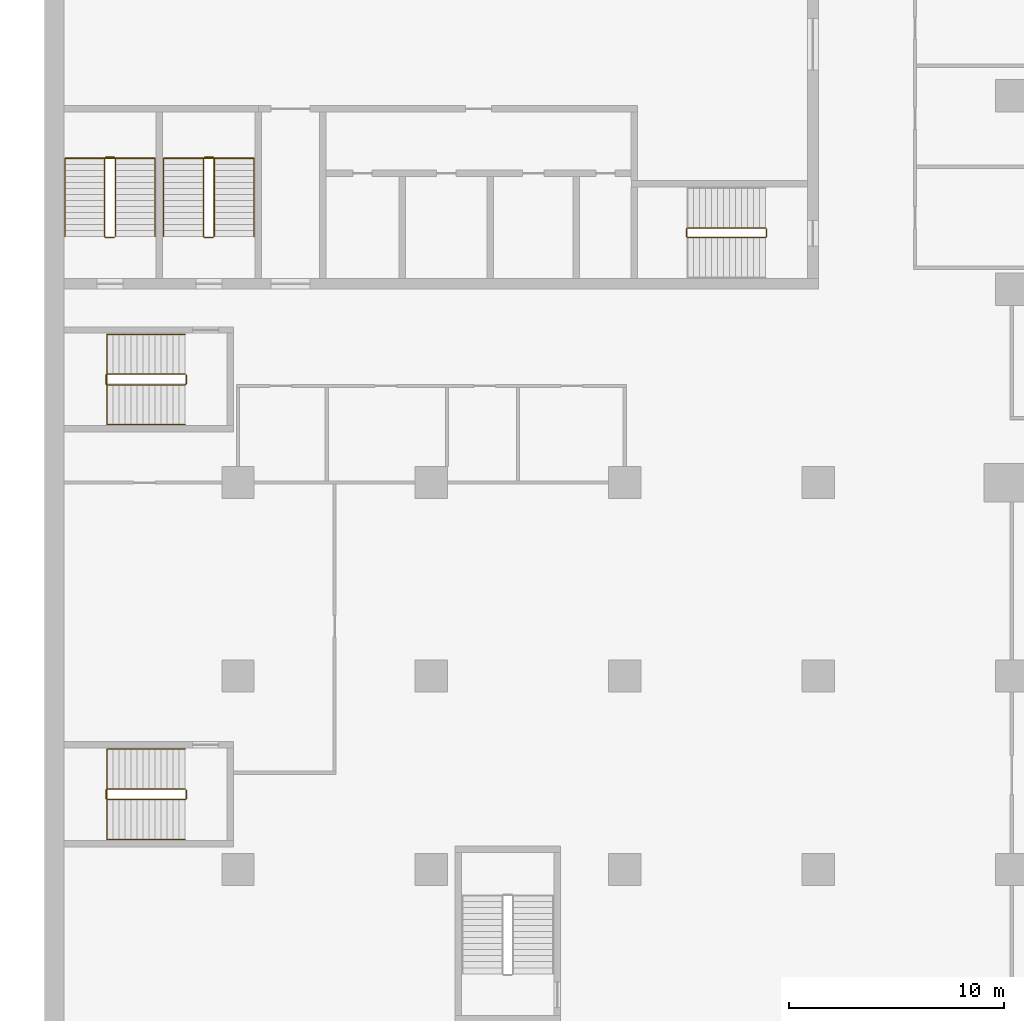
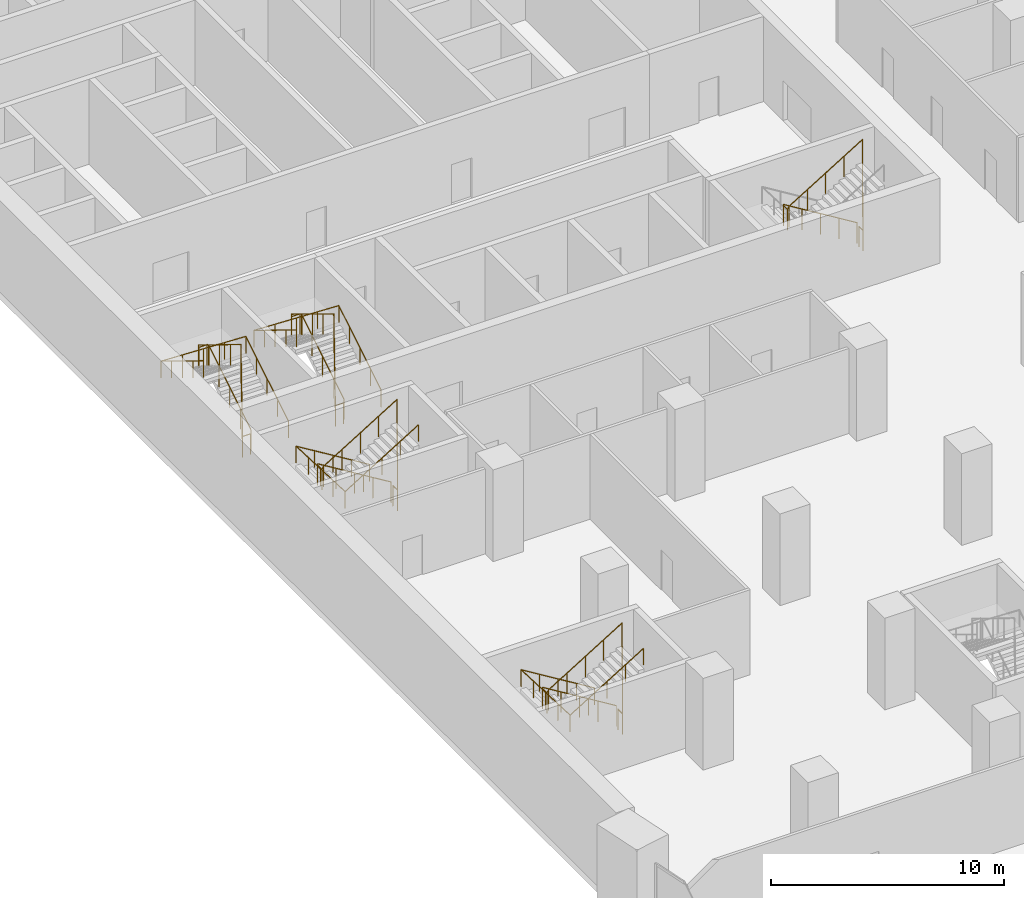
# One storey, part 26 of 31: 9 railings.
"""IFC4 building model written with IfcOpenShell, lengths in metres."""

from ifc_helpers import new_model, si_unit, direction, frame, origin, origin_2d, place, context, subcontext, project, spatial, circle, extrude, material, type_object, element, save


model = new_model("IFC4")

# Units and contexts
model_context = context("Model", 3, precision=1e-05, world=origin(), true_north=direction((0.0, 1.0)))
body_context = subcontext(model_context, "Body", "Model", "MODEL_VIEW")
ifc_project = project(units=[si_unit("LENGTHUNIT", "METRE"), si_unit("AREAUNIT", "SQUARE_METRE"), si_unit("VOLUMEUNIT", "CUBIC_METRE"), si_unit("PLANEANGLEUNIT", "RADIAN"), si_unit("MASSUNIT", "GRAM", prefix="KILO")], contexts=[model_context])

# Site, building, storey
site_placement = place(None, origin())
site = spatial("IfcSite", under=ifc_project, at=site_placement, CompositionType="ELEMENT")
building_placement = place(site_placement, origin())
building = spatial("IfcBuilding", under=site, at=building_placement, Name="Hunhe Ridgeline Campus", CompositionType="ELEMENT")
storey_placement = place(building_placement, frame((0.0, 0.0, 16.800048828125)))
storey = spatial("IfcBuildingStorey", under=building, at=storey_placement, Name="L03", CompositionType="ELEMENT", Elevation=16.800048828125)

# Railings
ifc_material_1 = material(Name="Stainless steel balustrade", Category="steel")
railing_type_1 = type_object("IfcRailingType", Name="Stair guard 1100 stainless", PredefinedType="GUARDRAIL", material=ifc_material_1)
railing_1_placement = place(storey_placement, frame((33.550048828125, 65.85009765625, 0.17138671875)))
element("IfcRailing", 1, at=railing_1_placement, inside=storey, type_object=railing_type_1, Name="L03 stair S2 guard", PredefinedType="GUARDRAIL", context=body_context, shape_type="SweptSolid", body=[
    extrude(circle(Radius=0.02392578125, at=origin_2d()), frame((0.0, 0.0, 1.076171875), z_axis=(-0.852865859571, 0.0, 0.52213008492), x_axis=(0.0, -1.0, 0.0)), (0.0, 0.0, 1.0), 4.26806640625),
    extrude(circle(Radius=0.02392578125, at=origin_2d()), frame((-3.64013671875, 0.0, 3.3046875), z_axis=(-0.705375805398, -0.708833529934, 0.0), x_axis=(0.708833529934, -0.705375805398, 0.0)), (0.0, 0.0, 1.0), 0.070556640625),
    extrude(circle(Radius=0.02392578125, at=origin_2d()), frame((-3.68994140625, -0.050048828125, 3.3046875), z_axis=(0.0, -1.0, 0.0), x_axis=(1.0, 0.0, 0.0)), (0.0, 0.0, 1.0), 0.35009765625),
    extrude(circle(Radius=0.02392578125, at=origin_2d()), frame((-3.68994140625, -0.400146484375, 3.3046875), z_axis=(0.268689830376, -0.270006937388, 0.924609122178), x_axis=(0.708833529934, 0.705375805398, 0.0)), (0.0, 0.0, 1.0), 0.185302734375),
    extrude(circle(Radius=0.02392578125, at=origin_2d()), frame((-3.64013671875, -0.4501953125, 3.47607421875), z_axis=(0.852840387347, 0.0, 0.522171689878), x_axis=(0.0, 1.0, 0.0)), (0.0, 0.0, 1.0), 4.268310546875),
    extrude(circle(Radius=0.02392578125, at=origin_2d()), frame((0.0, -0.4501953125, 5.70458984375), z_axis=(0.010425599751, 0.010425599751, -0.999891300962), x_axis=(-0.707106781187, 0.707106781187, 0.0)), (0.0, 0.0, 1.0), 4.800537109375),
    extrude(circle(Radius=0.02392578125, at=origin_2d()), frame((0.050048828125, -0.400146484375, 0.90478515625), z_axis=(0.0, 1.0, 0.0), x_axis=(-1.0, 0.0, 0.0)), (0.0, 0.0, 1.0), 0.35009765625),
    extrude(circle(Radius=0.02099609375, at=origin_2d()), origin(), (0.0, 0.0, 1.0), 1.052001953125),
    extrude(circle(Radius=0.02099609375, at=origin_2d()), frame((-0.91015625, 0.0, 0.55712890625)), (0.0, 0.0, 1.0), 1.052001953125),
    extrude(circle(Radius=0.02099609375, at=origin_2d()), frame((-1.820068359375, 0.0, 1.1142578125)), (0.0, 0.0, 1.0), 1.052001953125),
    extrude(circle(Radius=0.02099609375, at=origin_2d()), frame((-2.72998046875, 0.0, 1.67138671875)), (0.0, 0.0, 1.0), 1.052001953125),
    extrude(circle(Radius=0.02099609375, at=origin_2d()), frame((-3.64013671875, 0.0, 2.228515625)), (0.0, 0.0, 1.0), 1.052001953125),
    extrude(circle(Radius=0.02099609375, at=origin_2d()), frame((-3.68994140625, -0.050048828125, 2.228515625)), (0.0, 0.0, 1.0), 1.052001953125),
    extrude(circle(Radius=0.02099609375, at=origin_2d()), frame((-3.68994140625, -0.400146484375, 2.228515625)), (0.0, 0.0, 1.0), 1.052001953125),
    extrude(circle(Radius=0.02099609375, at=origin_2d()), frame((-3.64013671875, -0.4501953125, 2.39990234375)), (0.0, 0.0, 1.0), 1.052001953125),
    extrude(circle(Radius=0.02099609375, at=origin_2d()), frame((-2.72998046875, -0.4501953125, 2.95703125)), (0.0, 0.0, 1.0), 1.052001953125),
    extrude(circle(Radius=0.02099609375, at=origin_2d()), frame((-1.820068359375, -0.4501953125, 3.51416015625)), (0.0, 0.0, 1.0), 1.052001953125),
    extrude(circle(Radius=0.02099609375, at=origin_2d()), frame((-0.91015625, -0.4501953125, 4.071533203125)), (0.0, 0.0, 1.0), 1.052001953125),
    extrude(circle(Radius=0.02099609375, at=origin_2d()), frame((0.0, -0.4501953125, 4.628662109375)), (0.0, 0.0, 1.0), 1.052001953125),
    extrude(circle(Radius=0.02099609375, at=origin_2d()), frame((0.010009765625, -0.440185546875, 3.668701171875)), (0.0, 0.0, 1.0), 1.052001953125),
    extrude(circle(Radius=0.02099609375, at=origin_2d()), frame((0.02001953125, -0.43017578125, 2.708740234375)), (0.0, 0.0, 1.0), 1.052001953125),
    extrude(circle(Radius=0.02099609375, at=origin_2d()), frame((0.030029296875, -0.420166015625, 1.74853515625)), (0.0, 0.0, 1.0), 1.052001953125),
    extrude(circle(Radius=0.02099609375, at=origin_2d()), frame((0.0400390625, -0.41015625, 0.78857421875)), (0.0, 0.0, 1.0), 1.052001953125),
    extrude(circle(Radius=0.02099609375, at=origin_2d()), frame((0.050048828125, -0.400146484375, -0.17138671875)), (0.0, 0.0, 1.0), 1.052001953125),
    extrude(circle(Radius=0.02099609375, at=origin_2d()), frame((0.050048828125, -0.050048828125, -0.17138671875)), (0.0, 0.0, 1.0), 1.052001953125),
])
railing_2_placement = place(storey_placement, frame((3.300048828125, 65.449951171875, 0.17138671875)))
element("IfcRailing", 2, at=railing_2_placement, inside=storey, type_object=railing_type_1, Name="L03 stair S3 guard", PredefinedType="GUARDRAIL", context=body_context, shape_type="SweptSolid", body=[
    extrude(circle(Radius=0.02392578125, at=origin_2d()), frame((0.0, 0.0, 1.076171875), z_axis=(0.0, 0.852865859571, 0.52213008492), x_axis=(-1.0, 0.0, 0.0)), (0.0, 0.0, 1.0), 4.26806640625),
    extrude(circle(Radius=0.02392578125, at=origin_2d()), frame((0.0, 3.64013671875, 3.3046875), z_axis=(-0.708833529934, 0.705375805398, 0.0), x_axis=(-0.705375805398, -0.708833529934, 0.0)), (0.0, 0.0, 1.0), 0.070556640625),
    extrude(circle(Radius=0.02392578125, at=origin_2d()), frame((-0.050048828125, 3.68994140625, 3.3046875), z_axis=(-1.0, 0.0, 0.0), x_axis=(0.0, -1.0, 0.0)), (0.0, 0.0, 1.0), 0.39990234375),
    extrude(circle(Radius=0.02392578125, at=origin_2d()), frame((-0.449951171875, 3.68994140625, 3.3046875), z_axis=(-0.270006937388, -0.268689830376, 0.924609122178), x_axis=(0.705375805398, -0.708833529934, 0.0)), (0.0, 0.0, 1.0), 0.185302734375),
    extrude(circle(Radius=0.02392578125, at=origin_2d()), frame((-0.5, 3.64013671875, 3.47607421875), z_axis=(0.0, -0.852840387347, 0.522171689878), x_axis=(1.0, 0.0, 0.0)), (0.0, 0.0, 1.0), 4.268310546875),
    extrude(circle(Radius=0.02392578125, at=origin_2d()), frame((-0.5, 0.0, 5.70458984375), z_axis=(0.010425599751, -0.010425599751, -0.999891300962), x_axis=(0.707106781187, 0.707106781187, 0.0)), (0.0, 0.0, 1.0), 4.800537109375),
    extrude(circle(Radius=0.02392578125, at=origin_2d()), frame((-0.449951171875, -0.050048828125, 0.90478515625), z_axis=(1.0, 0.0, 0.0), x_axis=(0.0, 1.0, 0.0)), (0.0, 0.0, 1.0), 0.39990234375),
    extrude(circle(Radius=0.02099609375, at=origin_2d()), origin(), (0.0, 0.0, 1.0), 1.052001953125),
    extrude(circle(Radius=0.02099609375, at=origin_2d()), frame((0.0, 0.91015625, 0.55712890625)), (0.0, 0.0, 1.0), 1.052001953125),
    extrude(circle(Radius=0.02099609375, at=origin_2d()), frame((0.0, 1.820068359375, 1.1142578125)), (0.0, 0.0, 1.0), 1.052001953125),
    extrude(circle(Radius=0.02099609375, at=origin_2d()), frame((0.0, 2.72998046875, 1.67138671875)), (0.0, 0.0, 1.0), 1.052001953125),
    extrude(circle(Radius=0.02099609375, at=origin_2d()), frame((0.0, 3.64013671875, 2.228515625)), (0.0, 0.0, 1.0), 1.052001953125),
    extrude(circle(Radius=0.02099609375, at=origin_2d()), frame((-0.050048828125, 3.68994140625, 2.228515625)), (0.0, 0.0, 1.0), 1.052001953125),
    extrude(circle(Radius=0.02099609375, at=origin_2d()), frame((-0.449951171875, 3.68994140625, 2.228515625)), (0.0, 0.0, 1.0), 1.052001953125),
    extrude(circle(Radius=0.02099609375, at=origin_2d()), frame((-0.5, 3.64013671875, 2.39990234375)), (0.0, 0.0, 1.0), 1.052001953125),
    extrude(circle(Radius=0.02099609375, at=origin_2d()), frame((-0.5, 2.72998046875, 2.95703125)), (0.0, 0.0, 1.0), 1.052001953125),
    extrude(circle(Radius=0.02099609375, at=origin_2d()), frame((-0.5, 1.820068359375, 3.51416015625)), (0.0, 0.0, 1.0), 1.052001953125),
    extrude(circle(Radius=0.02099609375, at=origin_2d()), frame((-0.5, 0.91015625, 4.071533203125)), (0.0, 0.0, 1.0), 1.052001953125),
    extrude(circle(Radius=0.02099609375, at=origin_2d()), frame((-0.5, 0.0, 4.628662109375)), (0.0, 0.0, 1.0), 1.052001953125),
    extrude(circle(Radius=0.02099609375, at=origin_2d()), frame((-0.489990234375, -0.010009765625, 3.668701171875)), (0.0, 0.0, 1.0), 1.052001953125),
    extrude(circle(Radius=0.02099609375, at=origin_2d()), frame((-0.47998046875, -0.02001953125, 2.708740234375)), (0.0, 0.0, 1.0), 1.052001953125),
    extrude(circle(Radius=0.02099609375, at=origin_2d()), frame((-0.469970703125, -0.030029296875, 1.74853515625)), (0.0, 0.0, 1.0), 1.052001953125),
    extrude(circle(Radius=0.02099609375, at=origin_2d()), frame((-0.4599609375, -0.0400390625, 0.78857421875)), (0.0, 0.0, 1.0), 1.052001953125),
    extrude(circle(Radius=0.02099609375, at=origin_2d()), frame((-0.449951171875, -0.050048828125, -0.17138671875)), (0.0, 0.0, 1.0), 1.052001953125),
    extrude(circle(Radius=0.02099609375, at=origin_2d()), frame((-0.050048828125, -0.050048828125, -0.17138671875)), (0.0, 0.0, 1.0), 1.052001953125),
])
railing_3_placement = place(storey_placement, frame((7.89990234375, 65.449951171875, 0.17138671875)))
element("IfcRailing", 3, at=railing_3_placement, inside=storey, type_object=railing_type_1, Name="L03 stair S4 guard", PredefinedType="GUARDRAIL", context=body_context, shape_type="SweptSolid", body=[
    extrude(circle(Radius=0.02392578125, at=origin_2d()), frame((0.0, 0.0, 1.076171875), z_axis=(0.0, 0.852865859571, 0.52213008492), x_axis=(-1.0, 0.0, 0.0)), (0.0, 0.0, 1.0), 4.26806640625),
    extrude(circle(Radius=0.02392578125, at=origin_2d()), frame((0.0, 3.64013671875, 3.3046875), z_axis=(-0.707106781187, 0.707106781187, 0.0), x_axis=(-0.707106781187, -0.707106781187, 0.0)), (0.0, 0.0, 1.0), 0.0703125),
    extrude(circle(Radius=0.02392578125, at=origin_2d()), frame((-0.0498046875, 3.68994140625, 3.3046875), z_axis=(-1.0, 0.0, 0.0), x_axis=(0.0, -1.0, 0.0)), (0.0, 0.0, 1.0), 0.400146484375),
    extrude(circle(Radius=0.02392578125, at=origin_2d()), frame((-0.449951171875, 3.68994140625, 3.3046875), z_axis=(-0.270006937388, -0.268689830376, 0.924609122178), x_axis=(0.705375805398, -0.708833529934, 0.0)), (0.0, 0.0, 1.0), 0.185302734375),
    extrude(circle(Radius=0.02392578125, at=origin_2d()), frame((-0.5, 3.64013671875, 3.47607421875), z_axis=(0.0, -0.852840387347, 0.522171689878), x_axis=(1.0, 0.0, 0.0)), (0.0, 0.0, 1.0), 4.268310546875),
    extrude(circle(Radius=0.02392578125, at=origin_2d()), frame((-0.5, 0.0, 5.70458984375), z_axis=(0.010425599751, -0.010425599751, -0.999891300962), x_axis=(0.707106781187, 0.707106781187, 0.0)), (0.0, 0.0, 1.0), 4.800537109375),
    extrude(circle(Radius=0.02392578125, at=origin_2d()), frame((-0.449951171875, -0.050048828125, 0.90478515625), z_axis=(1.0, 0.0, 0.0), x_axis=(0.0, 1.0, 0.0)), (0.0, 0.0, 1.0), 0.400146484375),
    extrude(circle(Radius=0.02099609375, at=origin_2d()), origin(), (0.0, 0.0, 1.0), 1.052001953125),
    extrude(circle(Radius=0.02099609375, at=origin_2d()), frame((0.0, 0.91015625, 0.55712890625)), (0.0, 0.0, 1.0), 1.052001953125),
    extrude(circle(Radius=0.02099609375, at=origin_2d()), frame((0.0, 1.820068359375, 1.1142578125)), (0.0, 0.0, 1.0), 1.052001953125),
    extrude(circle(Radius=0.02099609375, at=origin_2d()), frame((0.0, 2.72998046875, 1.67138671875)), (0.0, 0.0, 1.0), 1.052001953125),
    extrude(circle(Radius=0.02099609375, at=origin_2d()), frame((0.0, 3.64013671875, 2.228515625)), (0.0, 0.0, 1.0), 1.052001953125),
    extrude(circle(Radius=0.02099609375, at=origin_2d()), frame((-0.0498046875, 3.68994140625, 2.228515625)), (0.0, 0.0, 1.0), 1.052001953125),
    extrude(circle(Radius=0.02099609375, at=origin_2d()), frame((-0.449951171875, 3.68994140625, 2.228515625)), (0.0, 0.0, 1.0), 1.052001953125),
    extrude(circle(Radius=0.02099609375, at=origin_2d()), frame((-0.5, 3.64013671875, 2.39990234375)), (0.0, 0.0, 1.0), 1.052001953125),
    extrude(circle(Radius=0.02099609375, at=origin_2d()), frame((-0.5, 2.72998046875, 2.95703125)), (0.0, 0.0, 1.0), 1.052001953125),
    extrude(circle(Radius=0.02099609375, at=origin_2d()), frame((-0.5, 1.820068359375, 3.51416015625)), (0.0, 0.0, 1.0), 1.052001953125),
    extrude(circle(Radius=0.02099609375, at=origin_2d()), frame((-0.5, 0.91015625, 4.071533203125)), (0.0, 0.0, 1.0), 1.052001953125),
    extrude(circle(Radius=0.02099609375, at=origin_2d()), frame((-0.5, 0.0, 4.628662109375)), (0.0, 0.0, 1.0), 1.052001953125),
    extrude(circle(Radius=0.02099609375, at=origin_2d()), frame((-0.489990234375, -0.010009765625, 3.668701171875)), (0.0, 0.0, 1.0), 1.052001953125),
    extrude(circle(Radius=0.02099609375, at=origin_2d()), frame((-0.47998046875, -0.02001953125, 2.708740234375)), (0.0, 0.0, 1.0), 1.052001953125),
    extrude(circle(Radius=0.02099609375, at=origin_2d()), frame((-0.469970703125, -0.030029296875, 1.74853515625)), (0.0, 0.0, 1.0), 1.052001953125),
    extrude(circle(Radius=0.02099609375, at=origin_2d()), frame((-0.4599609375, -0.0400390625, 0.78857421875)), (0.0, 0.0, 1.0), 1.052001953125),
    extrude(circle(Radius=0.02099609375, at=origin_2d()), frame((-0.449951171875, -0.050048828125, -0.17138671875)), (0.0, 0.0, 1.0), 1.052001953125),
    extrude(circle(Radius=0.02099609375, at=origin_2d()), frame((-0.0498046875, -0.050048828125, -0.17138671875)), (0.0, 0.0, 1.0), 1.052001953125),
])
railing_4_placement = place(storey_placement, frame((6.550048828125, 39.75, 0.17138671875)))
element("IfcRailing", 4, at=railing_4_placement, inside=storey, type_object=railing_type_1, Name="L03 stair W1 guard", PredefinedType="GUARDRAIL", context=body_context, shape_type="SweptSolid", body=[
    extrude(circle(Radius=0.02392578125, at=origin_2d()), frame((0.0, 0.0, 1.076171875), z_axis=(-0.852865859571, 0.0, 0.52213008492), x_axis=(0.0, -1.0, 0.0)), (0.0, 0.0, 1.0), 4.26806640625),
    extrude(circle(Radius=0.02392578125, at=origin_2d()), frame((-3.64013671875, 0.0, 3.3046875), z_axis=(-0.705375805398, -0.708833529934, 0.0), x_axis=(0.708833529934, -0.705375805398, 0.0)), (0.0, 0.0, 1.0), 0.070556640625),
    extrude(circle(Radius=0.02392578125, at=origin_2d()), frame((-3.68994140625, -0.050048828125, 3.3046875), z_axis=(0.0, -1.0, 0.0), x_axis=(1.0, 0.0, 0.0)), (0.0, 0.0, 1.0), 0.39990234375),
    extrude(circle(Radius=0.02392578125, at=origin_2d()), frame((-3.68994140625, -0.449951171875, 3.3046875), z_axis=(0.268689830376, -0.270006937388, 0.924609122178), x_axis=(0.708833529934, 0.705375805398, 0.0)), (0.0, 0.0, 1.0), 0.185302734375),
    extrude(circle(Radius=0.02392578125, at=origin_2d()), frame((-3.64013671875, -0.5, 3.47607421875), z_axis=(0.852840387347, 0.0, 0.522171689878), x_axis=(0.0, 1.0, 0.0)), (0.0, 0.0, 1.0), 4.268310546875),
    extrude(circle(Radius=0.02392578125, at=origin_2d()), frame((0.0, -0.5, 5.70458984375), z_axis=(0.010425599751, 0.010425599751, -0.999891300962), x_axis=(-0.707106781187, 0.707106781187, 0.0)), (0.0, 0.0, 1.0), 4.800537109375),
    extrude(circle(Radius=0.02392578125, at=origin_2d()), frame((0.050048828125, -0.449951171875, 0.90478515625), z_axis=(0.0, 1.0, 0.0), x_axis=(-1.0, 0.0, 0.0)), (0.0, 0.0, 1.0), 0.39990234375),
    extrude(circle(Radius=0.02099609375, at=origin_2d()), origin(), (0.0, 0.0, 1.0), 1.052001953125),
    extrude(circle(Radius=0.02099609375, at=origin_2d()), frame((-0.91015625, 0.0, 0.55712890625)), (0.0, 0.0, 1.0), 1.052001953125),
    extrude(circle(Radius=0.02099609375, at=origin_2d()), frame((-1.820068359375, 0.0, 1.1142578125)), (0.0, 0.0, 1.0), 1.052001953125),
    extrude(circle(Radius=0.02099609375, at=origin_2d()), frame((-2.72998046875, 0.0, 1.67138671875)), (0.0, 0.0, 1.0), 1.052001953125),
    extrude(circle(Radius=0.02099609375, at=origin_2d()), frame((-3.64013671875, 0.0, 2.228515625)), (0.0, 0.0, 1.0), 1.052001953125),
    extrude(circle(Radius=0.02099609375, at=origin_2d()), frame((-3.68994140625, -0.050048828125, 2.228515625)), (0.0, 0.0, 1.0), 1.052001953125),
    extrude(circle(Radius=0.02099609375, at=origin_2d()), frame((-3.68994140625, -0.449951171875, 2.228515625)), (0.0, 0.0, 1.0), 1.052001953125),
    extrude(circle(Radius=0.02099609375, at=origin_2d()), frame((-3.64013671875, -0.5, 2.39990234375)), (0.0, 0.0, 1.0), 1.052001953125),
    extrude(circle(Radius=0.02099609375, at=origin_2d()), frame((-2.72998046875, -0.5, 2.95703125)), (0.0, 0.0, 1.0), 1.052001953125),
    extrude(circle(Radius=0.02099609375, at=origin_2d()), frame((-1.820068359375, -0.5, 3.51416015625)), (0.0, 0.0, 1.0), 1.052001953125),
    extrude(circle(Radius=0.02099609375, at=origin_2d()), frame((-0.91015625, -0.5, 4.071533203125)), (0.0, 0.0, 1.0), 1.052001953125),
    extrude(circle(Radius=0.02099609375, at=origin_2d()), frame((0.0, -0.5, 4.628662109375)), (0.0, 0.0, 1.0), 1.052001953125),
    extrude(circle(Radius=0.02099609375, at=origin_2d()), frame((0.010009765625, -0.489990234375, 3.668701171875)), (0.0, 0.0, 1.0), 1.052001953125),
    extrude(circle(Radius=0.02099609375, at=origin_2d()), frame((0.02001953125, -0.47998046875, 2.708740234375)), (0.0, 0.0, 1.0), 1.052001953125),
    extrude(circle(Radius=0.02099609375, at=origin_2d()), frame((0.030029296875, -0.469970703125, 1.74853515625)), (0.0, 0.0, 1.0), 1.052001953125),
    extrude(circle(Radius=0.02099609375, at=origin_2d()), frame((0.0400390625, -0.4599609375, 0.78857421875)), (0.0, 0.0, 1.0), 1.052001953125),
    extrude(circle(Radius=0.02099609375, at=origin_2d()), frame((0.050048828125, -0.449951171875, -0.17138671875)), (0.0, 0.0, 1.0), 1.052001953125),
    extrude(circle(Radius=0.02099609375, at=origin_2d()), frame((0.050048828125, -0.050048828125, -0.17138671875)), (0.0, 0.0, 1.0), 1.052001953125),
])
railing_5_placement = place(storey_placement, frame((6.550048828125, 59.050048828125, 0.17138671875)))
element("IfcRailing", 5, at=railing_5_placement, inside=storey, type_object=railing_type_1, Name="L03 stair W2 guard", PredefinedType="GUARDRAIL", context=body_context, shape_type="SweptSolid", body=[
    extrude(circle(Radius=0.02392578125, at=origin_2d()), frame((0.0, 0.0, 1.076171875), z_axis=(-0.852865859571, 0.0, 0.52213008492), x_axis=(0.0, -1.0, 0.0)), (0.0, 0.0, 1.0), 4.26806640625),
    extrude(circle(Radius=0.02392578125, at=origin_2d()), frame((-3.64013671875, 0.0, 3.3046875), z_axis=(-0.705375805398, -0.708833529934, 0.0), x_axis=(0.708833529934, -0.705375805398, 0.0)), (0.0, 0.0, 1.0), 0.070556640625),
    extrude(circle(Radius=0.02392578125, at=origin_2d()), frame((-3.68994140625, -0.050048828125, 3.3046875), z_axis=(0.0, -1.0, 0.0), x_axis=(1.0, 0.0, 0.0)), (0.0, 0.0, 1.0), 0.39990234375),
    extrude(circle(Radius=0.02392578125, at=origin_2d()), frame((-3.68994140625, -0.449951171875, 3.3046875), z_axis=(0.268689830376, -0.270006937388, 0.924609122178), x_axis=(0.708833529934, 0.705375805398, 0.0)), (0.0, 0.0, 1.0), 0.185302734375),
    extrude(circle(Radius=0.02392578125, at=origin_2d()), frame((-3.64013671875, -0.5, 3.47607421875), z_axis=(0.852840387347, 0.0, 0.522171689878), x_axis=(0.0, 1.0, 0.0)), (0.0, 0.0, 1.0), 4.268310546875),
    extrude(circle(Radius=0.02392578125, at=origin_2d()), frame((0.0, -0.5, 5.70458984375), z_axis=(0.010425599751, 0.010425599751, -0.999891300962), x_axis=(-0.707106781187, 0.707106781187, 0.0)), (0.0, 0.0, 1.0), 4.800537109375),
    extrude(circle(Radius=0.02392578125, at=origin_2d()), frame((0.050048828125, -0.449951171875, 0.90478515625), z_axis=(0.0, 1.0, 0.0), x_axis=(-1.0, 0.0, 0.0)), (0.0, 0.0, 1.0), 0.39990234375),
    extrude(circle(Radius=0.02099609375, at=origin_2d()), origin(), (0.0, 0.0, 1.0), 1.052001953125),
    extrude(circle(Radius=0.02099609375, at=origin_2d()), frame((-0.91015625, 0.0, 0.55712890625)), (0.0, 0.0, 1.0), 1.052001953125),
    extrude(circle(Radius=0.02099609375, at=origin_2d()), frame((-1.820068359375, 0.0, 1.1142578125)), (0.0, 0.0, 1.0), 1.052001953125),
    extrude(circle(Radius=0.02099609375, at=origin_2d()), frame((-2.72998046875, 0.0, 1.67138671875)), (0.0, 0.0, 1.0), 1.052001953125),
    extrude(circle(Radius=0.02099609375, at=origin_2d()), frame((-3.64013671875, 0.0, 2.228515625)), (0.0, 0.0, 1.0), 1.052001953125),
    extrude(circle(Radius=0.02099609375, at=origin_2d()), frame((-3.68994140625, -0.050048828125, 2.228515625)), (0.0, 0.0, 1.0), 1.052001953125),
    extrude(circle(Radius=0.02099609375, at=origin_2d()), frame((-3.68994140625, -0.449951171875, 2.228515625)), (0.0, 0.0, 1.0), 1.052001953125),
    extrude(circle(Radius=0.02099609375, at=origin_2d()), frame((-3.64013671875, -0.5, 2.39990234375)), (0.0, 0.0, 1.0), 1.052001953125),
    extrude(circle(Radius=0.02099609375, at=origin_2d()), frame((-2.72998046875, -0.5, 2.95703125)), (0.0, 0.0, 1.0), 1.052001953125),
    extrude(circle(Radius=0.02099609375, at=origin_2d()), frame((-1.820068359375, -0.5, 3.51416015625)), (0.0, 0.0, 1.0), 1.052001953125),
    extrude(circle(Radius=0.02099609375, at=origin_2d()), frame((-0.91015625, -0.5, 4.071533203125)), (0.0, 0.0, 1.0), 1.052001953125),
    extrude(circle(Radius=0.02099609375, at=origin_2d()), frame((0.0, -0.5, 4.628662109375)), (0.0, 0.0, 1.0), 1.052001953125),
    extrude(circle(Radius=0.02099609375, at=origin_2d()), frame((0.010009765625, -0.489990234375, 3.668701171875)), (0.0, 0.0, 1.0), 1.052001953125),
    extrude(circle(Radius=0.02099609375, at=origin_2d()), frame((0.02001953125, -0.47998046875, 2.708740234375)), (0.0, 0.0, 1.0), 1.052001953125),
    extrude(circle(Radius=0.02099609375, at=origin_2d()), frame((0.030029296875, -0.469970703125, 1.74853515625)), (0.0, 0.0, 1.0), 1.052001953125),
    extrude(circle(Radius=0.02099609375, at=origin_2d()), frame((0.0400390625, -0.4599609375, 0.78857421875)), (0.0, 0.0, 1.0), 1.052001953125),
    extrude(circle(Radius=0.02099609375, at=origin_2d()), frame((0.050048828125, -0.449951171875, -0.17138671875)), (0.0, 0.0, 1.0), 1.052001953125),
    extrude(circle(Radius=0.02099609375, at=origin_2d()), frame((0.050048828125, -0.050048828125, -0.17138671875)), (0.0, 0.0, 1.0), 1.052001953125),
])
ifc_material_2 = material(Name="Stainless steel handrail", Category="steel")
railing_type_2 = type_object("IfcRailingType", Name="Stair handrail 900 stainless", PredefinedType="HANDRAIL", material=ifc_material_2)
railing_6_placement = place(storey_placement, frame((5.14990234375, 65.449951171875, 0.17138671875)))
element("IfcRailing", 6, at=railing_6_placement, inside=storey, type_object=railing_type_2, Name="L03 stair S3 handrail", PredefinedType="HANDRAIL", context=body_context, shape_type="SweptSolid", body=[
    extrude(circle(Radius=0.02392578125, at=origin_2d()), frame((0.0, 0.0, 0.8759765625), z_axis=(0.0, 0.852865859571, 0.52213008492), x_axis=(-1.0, 0.0, 0.0)), (0.0, 0.0, 1.0), 4.26806640625),
    extrude(circle(Radius=0.02392578125, at=origin_2d()), frame((0.0, 3.64013671875, 3.1044921875), z_axis=(-0.999168439458, 0.0, 0.040772902662), x_axis=(0.0, -1.0, 0.0)), (0.0, 0.0, 1.0), 4.203369140625),
    extrude(circle(Radius=0.02392578125, at=origin_2d()), frame((-4.199951171875, 3.64013671875, 3.27587890625), z_axis=(0.0, -0.852840387347, 0.522171689878), x_axis=(1.0, 0.0, 0.0)), (0.0, 0.0, 1.0), 4.268310546875),
    extrude(circle(Radius=0.02099609375, at=origin_2d()), origin(), (0.0, 0.0, 1.0), 0.851806640625),
    extrude(circle(Radius=0.02099609375, at=origin_2d()), frame((0.0, 0.91015625, 0.55712890625)), (0.0, 0.0, 1.0), 0.851806640625),
    extrude(circle(Radius=0.02099609375, at=origin_2d()), frame((0.0, 1.820068359375, 1.1142578125)), (0.0, 0.0, 1.0), 0.851806640625),
    extrude(circle(Radius=0.02099609375, at=origin_2d()), frame((0.0, 2.72998046875, 1.67138671875)), (0.0, 0.0, 1.0), 0.851806640625),
    extrude(circle(Radius=0.02099609375, at=origin_2d()), frame((0.0, 3.64013671875, 2.228515625)), (0.0, 0.0, 1.0), 0.851806640625),
    extrude(circle(Radius=0.02099609375, at=origin_2d()), frame((-1.050048828125, 3.64013671875, 2.271484375)), (0.0, 0.0, 1.0), 0.851806640625),
    extrude(circle(Radius=0.02099609375, at=origin_2d()), frame((-2.10009765625, 3.64013671875, 2.314208984375)), (0.0, 0.0, 1.0), 0.851806640625),
    extrude(circle(Radius=0.02099609375, at=origin_2d()), frame((-3.14990234375, 3.64013671875, 2.35693359375)), (0.0, 0.0, 1.0), 0.851806640625),
    extrude(circle(Radius=0.02099609375, at=origin_2d()), frame((-4.199951171875, 3.64013671875, 2.39990234375)), (0.0, 0.0, 1.0), 0.851806640625),
    extrude(circle(Radius=0.02099609375, at=origin_2d()), frame((-4.199951171875, 2.72998046875, 2.95703125)), (0.0, 0.0, 1.0), 0.851806640625),
    extrude(circle(Radius=0.02099609375, at=origin_2d()), frame((-4.199951171875, 1.820068359375, 3.51416015625)), (0.0, 0.0, 1.0), 0.851806640625),
    extrude(circle(Radius=0.02099609375, at=origin_2d()), frame((-4.199951171875, 0.91015625, 4.071533203125)), (0.0, 0.0, 1.0), 0.851806640625),
    extrude(circle(Radius=0.02099609375, at=origin_2d()), frame((-4.199951171875, 0.0, 4.628662109375)), (0.0, 0.0, 1.0), 0.851806640625),
])
railing_7_placement = place(storey_placement, frame((9.75, 65.449951171875, 0.17138671875)))
element("IfcRailing", 7, at=railing_7_placement, inside=storey, type_object=railing_type_2, Name="L03 stair S4 handrail", PredefinedType="HANDRAIL", context=body_context, shape_type="SweptSolid", body=[
    extrude(circle(Radius=0.02392578125, at=origin_2d()), frame((0.0, 0.0, 0.8759765625), z_axis=(0.0, 0.852865859571, 0.52213008492), x_axis=(-1.0, 0.0, 0.0)), (0.0, 0.0, 1.0), 4.26806640625),
    extrude(circle(Radius=0.02392578125, at=origin_2d()), frame((0.0, 3.64013671875, 3.1044921875), z_axis=(-0.999168439458, 0.0, 0.040772902662), x_axis=(0.0, -1.0, 0.0)), (0.0, 0.0, 1.0), 4.203369140625),
    extrude(circle(Radius=0.02392578125, at=origin_2d()), frame((-4.199951171875, 3.64013671875, 3.27587890625), z_axis=(0.0, -0.852840387347, 0.522171689878), x_axis=(1.0, 0.0, 0.0)), (0.0, 0.0, 1.0), 4.268310546875),
    extrude(circle(Radius=0.02099609375, at=origin_2d()), origin(), (0.0, 0.0, 1.0), 0.851806640625),
    extrude(circle(Radius=0.02099609375, at=origin_2d()), frame((0.0, 0.91015625, 0.55712890625)), (0.0, 0.0, 1.0), 0.851806640625),
    extrude(circle(Radius=0.02099609375, at=origin_2d()), frame((0.0, 1.820068359375, 1.1142578125)), (0.0, 0.0, 1.0), 0.851806640625),
    extrude(circle(Radius=0.02099609375, at=origin_2d()), frame((0.0, 2.72998046875, 1.67138671875)), (0.0, 0.0, 1.0), 0.851806640625),
    extrude(circle(Radius=0.02099609375, at=origin_2d()), frame((0.0, 3.64013671875, 2.228515625)), (0.0, 0.0, 1.0), 0.851806640625),
    extrude(circle(Radius=0.02099609375, at=origin_2d()), frame((-1.050048828125, 3.64013671875, 2.271484375)), (0.0, 0.0, 1.0), 0.851806640625),
    extrude(circle(Radius=0.02099609375, at=origin_2d()), frame((-2.10009765625, 3.64013671875, 2.314208984375)), (0.0, 0.0, 1.0), 0.851806640625),
    extrude(circle(Radius=0.02099609375, at=origin_2d()), frame((-3.14990234375, 3.64013671875, 2.35693359375)), (0.0, 0.0, 1.0), 0.851806640625),
    extrude(circle(Radius=0.02099609375, at=origin_2d()), frame((-4.199951171875, 3.64013671875, 2.39990234375)), (0.0, 0.0, 1.0), 0.851806640625),
    extrude(circle(Radius=0.02099609375, at=origin_2d()), frame((-4.199951171875, 2.72998046875, 2.95703125)), (0.0, 0.0, 1.0), 0.851806640625),
    extrude(circle(Radius=0.02099609375, at=origin_2d()), frame((-4.199951171875, 1.820068359375, 3.51416015625)), (0.0, 0.0, 1.0), 0.851806640625),
    extrude(circle(Radius=0.02099609375, at=origin_2d()), frame((-4.199951171875, 0.91015625, 4.071533203125)), (0.0, 0.0, 1.0), 0.851806640625),
    extrude(circle(Radius=0.02099609375, at=origin_2d()), frame((-4.199951171875, 0.0, 4.628662109375)), (0.0, 0.0, 1.0), 0.851806640625),
])
railing_8_placement = place(storey_placement, frame((6.550048828125, 41.60009765625, 0.17138671875)))
element("IfcRailing", 8, at=railing_8_placement, inside=storey, type_object=railing_type_2, Name="L03 stair W1 handrail", PredefinedType="HANDRAIL", context=body_context, shape_type="SweptSolid", body=[
    extrude(circle(Radius=0.02392578125, at=origin_2d()), frame((0.0, 0.0, 0.8759765625), z_axis=(-0.852865859571, 0.0, 0.52213008492), x_axis=(0.0, -1.0, 0.0)), (0.0, 0.0, 1.0), 4.26806640625),
    extrude(circle(Radius=0.02392578125, at=origin_2d()), frame((-3.64013671875, 0.0, 3.1044921875), z_axis=(0.0, -0.999168536005, 0.040770536635), x_axis=(1.0, 0.0, 0.0)), (0.0, 0.0, 1.0), 4.20361328125),
    extrude(circle(Radius=0.02392578125, at=origin_2d()), frame((-3.64013671875, -4.2001953125, 3.27587890625), z_axis=(0.852840387347, 0.0, 0.522171689878), x_axis=(0.0, 1.0, 0.0)), (0.0, 0.0, 1.0), 4.268310546875),
    extrude(circle(Radius=0.02099609375, at=origin_2d()), origin(), (0.0, 0.0, 1.0), 0.851806640625),
    extrude(circle(Radius=0.02099609375, at=origin_2d()), frame((-0.91015625, 0.0, 0.55712890625)), (0.0, 0.0, 1.0), 0.851806640625),
    extrude(circle(Radius=0.02099609375, at=origin_2d()), frame((-1.820068359375, 0.0, 1.1142578125)), (0.0, 0.0, 1.0), 0.851806640625),
    extrude(circle(Radius=0.02099609375, at=origin_2d()), frame((-2.72998046875, 0.0, 1.67138671875)), (0.0, 0.0, 1.0), 0.851806640625),
    extrude(circle(Radius=0.02099609375, at=origin_2d()), frame((-3.64013671875, 0.0, 2.228515625)), (0.0, 0.0, 1.0), 0.851806640625),
    extrude(circle(Radius=0.02099609375, at=origin_2d()), frame((-3.64013671875, -1.050048828125, 2.271484375)), (0.0, 0.0, 1.0), 0.851806640625),
    extrude(circle(Radius=0.02099609375, at=origin_2d()), frame((-3.64013671875, -2.10009765625, 2.314208984375)), (0.0, 0.0, 1.0), 0.851806640625),
    extrude(circle(Radius=0.02099609375, at=origin_2d()), frame((-3.64013671875, -3.150146484375, 2.35693359375)), (0.0, 0.0, 1.0), 0.851806640625),
    extrude(circle(Radius=0.02099609375, at=origin_2d()), frame((-3.64013671875, -4.2001953125, 2.39990234375)), (0.0, 0.0, 1.0), 0.851806640625),
    extrude(circle(Radius=0.02099609375, at=origin_2d()), frame((-2.72998046875, -4.2001953125, 2.95703125)), (0.0, 0.0, 1.0), 0.851806640625),
    extrude(circle(Radius=0.02099609375, at=origin_2d()), frame((-1.820068359375, -4.2001953125, 3.51416015625)), (0.0, 0.0, 1.0), 0.851806640625),
    extrude(circle(Radius=0.02099609375, at=origin_2d()), frame((-0.91015625, -4.2001953125, 4.071533203125)), (0.0, 0.0, 1.0), 0.851806640625),
    extrude(circle(Radius=0.02099609375, at=origin_2d()), frame((0.0, -4.2001953125, 4.628662109375)), (0.0, 0.0, 1.0), 0.851806640625),
])
railing_9_placement = place(storey_placement, frame((6.550048828125, 60.89990234375, 0.17138671875)))
element("IfcRailing", 9, at=railing_9_placement, inside=storey, type_object=railing_type_2, Name="L03 stair W2 handrail", PredefinedType="HANDRAIL", context=body_context, shape_type="SweptSolid", body=[
    extrude(circle(Radius=0.02392578125, at=origin_2d()), frame((0.0, 0.0, 0.8759765625), z_axis=(-0.852865859571, 0.0, 0.52213008492), x_axis=(0.0, -1.0, 0.0)), (0.0, 0.0, 1.0), 4.26806640625),
    extrude(circle(Radius=0.02392578125, at=origin_2d()), frame((-3.64013671875, 0.0, 3.1044921875), z_axis=(0.0, -0.999168439458, 0.040772902662), x_axis=(1.0, 0.0, 0.0)), (0.0, 0.0, 1.0), 4.203369140625),
    extrude(circle(Radius=0.02392578125, at=origin_2d()), frame((-3.64013671875, -4.199951171875, 3.27587890625), z_axis=(0.852840387347, 0.0, 0.522171689878), x_axis=(0.0, 1.0, 0.0)), (0.0, 0.0, 1.0), 4.268310546875),
    extrude(circle(Radius=0.02099609375, at=origin_2d()), origin(), (0.0, 0.0, 1.0), 0.851806640625),
    extrude(circle(Radius=0.02099609375, at=origin_2d()), frame((-0.91015625, 0.0, 0.55712890625)), (0.0, 0.0, 1.0), 0.851806640625),
    extrude(circle(Radius=0.02099609375, at=origin_2d()), frame((-1.820068359375, 0.0, 1.1142578125)), (0.0, 0.0, 1.0), 0.851806640625),
    extrude(circle(Radius=0.02099609375, at=origin_2d()), frame((-2.72998046875, 0.0, 1.67138671875)), (0.0, 0.0, 1.0), 0.851806640625),
    extrude(circle(Radius=0.02099609375, at=origin_2d()), frame((-3.64013671875, 0.0, 2.228515625)), (0.0, 0.0, 1.0), 0.851806640625),
    extrude(circle(Radius=0.02099609375, at=origin_2d()), frame((-3.64013671875, -1.050048828125, 2.271484375)), (0.0, 0.0, 1.0), 0.851806640625),
    extrude(circle(Radius=0.02099609375, at=origin_2d()), frame((-3.64013671875, -2.10009765625, 2.314208984375)), (0.0, 0.0, 1.0), 0.851806640625),
    extrude(circle(Radius=0.02099609375, at=origin_2d()), frame((-3.64013671875, -3.14990234375, 2.35693359375)), (0.0, 0.0, 1.0), 0.851806640625),
    extrude(circle(Radius=0.02099609375, at=origin_2d()), frame((-3.64013671875, -4.199951171875, 2.39990234375)), (0.0, 0.0, 1.0), 0.851806640625),
    extrude(circle(Radius=0.02099609375, at=origin_2d()), frame((-2.72998046875, -4.199951171875, 2.95703125)), (0.0, 0.0, 1.0), 0.851806640625),
    extrude(circle(Radius=0.02099609375, at=origin_2d()), frame((-1.820068359375, -4.199951171875, 3.51416015625)), (0.0, 0.0, 1.0), 0.851806640625),
    extrude(circle(Radius=0.02099609375, at=origin_2d()), frame((-0.91015625, -4.199951171875, 4.071533203125)), (0.0, 0.0, 1.0), 0.851806640625),
    extrude(circle(Radius=0.02099609375, at=origin_2d()), frame((0.0, -4.199951171875, 4.628662109375)), (0.0, 0.0, 1.0), 0.851806640625),
])

save(model, "model.ifc")
